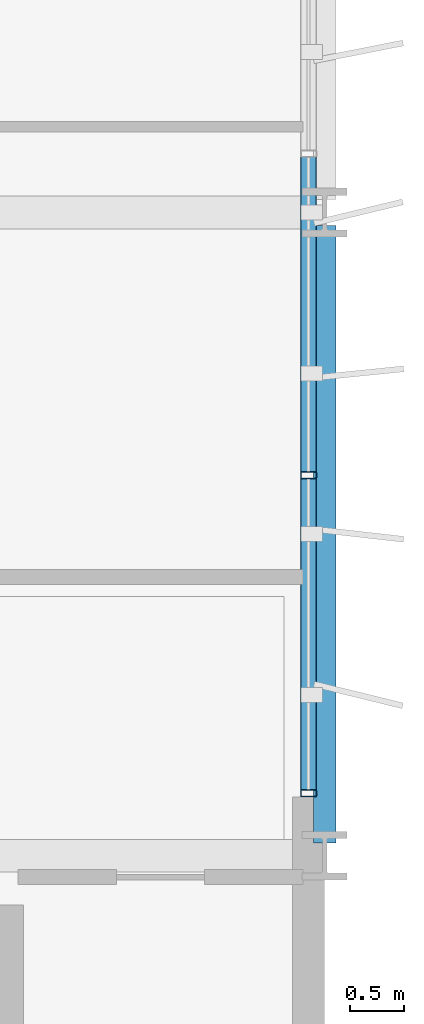
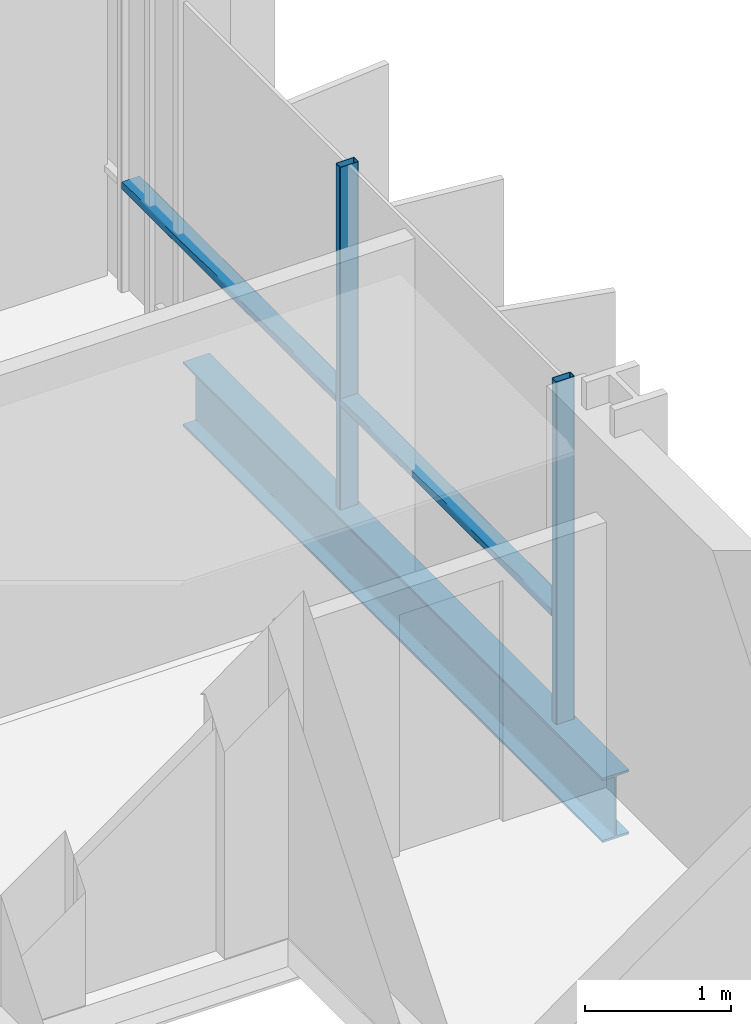
# One storey, part 15 of 39: 4 members, 1 beam, 1 element without a shape of its own.
"""IFC4 building model written with IfcOpenShell, lengths in metres."""

from ifc_helpers import new_model, si_unit, direction, frame, origin, origin_2d, place, context, subcontext, project, spatial, hollow_rectangle, i_section, extrude, material, layer, layer_set, material_profile, profile_set, type_object, element, aggregate, save


model = new_model("IFC4")

# Units and contexts
model_context = context("Model", 3, precision=1e-05, world=origin(), true_north=direction((0.0, 1.0)))
body_context = subcontext(model_context, "Body", "Model", "MODEL_VIEW")
ifc_project = project(units=[si_unit("LENGTHUNIT", "METRE"), si_unit("AREAUNIT", "SQUARE_METRE"), si_unit("VOLUMEUNIT", "CUBIC_METRE"), si_unit("PLANEANGLEUNIT", "RADIAN"), si_unit("MASSUNIT", "GRAM", prefix="KILO")], contexts=[model_context])

# Site, building, storey
site_placement = place(None, origin())
site = spatial("IfcSite", under=ifc_project, at=site_placement, CompositionType="ELEMENT")
building_placement = place(site_placement, origin())
building = spatial("IfcBuilding", under=site, at=building_placement, Name="Brevholm Reach", CompositionType="ELEMENT")
storey_placement = place(building_placement, frame((0.0, 0.0, 77.60009765625)))
storey = spatial("IfcBuildingStorey", under=building, at=storey_placement, Name="L22", CompositionType="ELEMENT", Elevation=77.60009765625)

# Beam
ifc_material_1 = material(Name="Structural Steel S355J2", Category="steel")
ifc_material_profile_1 = material_profile(ifc_material_1, i_section(OverallWidth=0.210693359375, OverallDepth=0.53955078125, WebThickness=0.01171875, FlangeThickness=0.018798828125, FilletRadius=0.0126953125, at=origin_2d()), Name="UKB 533x210x109")
ifc_profile_set_1 = profile_set([ifc_material_profile_1], Name="Structural Steel S355J2")
beam_type = type_object("IfcBeamType", Name="BM-SP539", PredefinedType="SPANDREL", material=ifc_profile_set_1)
beam_placement = place(storey_placement, frame((60.0, 10.1201171875, -0.499755859375), z_axis=(0.0, 1.0, 0.0), x_axis=(-1.0, 0.0, 0.0)))
element("IfcBeam", 1, at=beam_placement, inside=storey, type_object=beam_type, Name="L22 SP-01B Framing Beam", PredefinedType="SPANDREL", context=body_context, shape_type="SweptSolid", body=[
    extrude(i_section(OverallWidth=0.210693359375, OverallDepth=0.53955078125, WebThickness=0.01171875, FlangeThickness=0.018798828125, FilletRadius=0.0126953125, at=origin_2d()), origin(), (0.0, 0.0, 1.0), 5.759765625),
])

# Curtain wall, members
ifc_material_2 = material(Name="Dark Anodised Aluminium 6063-T6 and Solar-Control Glass", Category="aluminium")
ifc_layer = layer(ifc_material_2, 0.14990234375)
ifc_layer_set = layer_set([ifc_layer], Name="Dark Anodised Aluminium 6063-T6 and Solar-Control Glass")
curtain_wall_type = type_object("IfcCurtainWallType", Name="CW-01", PredefinedType="NOTDEFINED", material=ifc_layer_set)
curtain_wall_placement = place(storey_placement, origin())
curtain_wall = element("IfcCurtainWall", 2, at=curtain_wall_placement, inside=storey, type_object=curtain_wall_type, Name="L22 Curtain Wall CW-01", PredefinedType="NOTDEFINED")
ifc_material_3 = material(Name="Dark Anodised Aluminium 6063-T6", Category="aluminium")
ifc_material_profile_2 = material_profile(ifc_material_3, hollow_rectangle(XDim=0.06494140625, YDim=0.14990234375, WallThickness=0.0048828125, InnerFilletRadius=0.0048828125, OuterFilletRadius=0.010009765625, at=origin_2d()), Name="RHS 150x65x5")
ifc_profile_set_2 = profile_set([ifc_material_profile_2], Name="Dark Anodised Aluminium 6063-T6")
member_type_1 = type_object("IfcMemberType", Name="CWM-150", PredefinedType="MULLION", material=ifc_profile_set_2)
member_1_placement = place(storey_placement, frame((59.85009765625, 10.58251953125, 0.0), z_axis=(0.0, 0.0, 1.0), x_axis=(0.0, 1.0, 0.0)))
member_1 = element("IfcMember", 3, at=member_1_placement, type_object=member_type_1, Name="CM-150 Mullion 1", PredefinedType="MULLION", context=body_context, shape_type="SweptSolid", body=[
    extrude(hollow_rectangle(XDim=0.06494140625, YDim=0.14990234375, WallThickness=0.0048828125, InnerFilletRadius=0.0048828125, OuterFilletRadius=0.010009765625, at=origin_2d()), origin(), (0.0, 0.0, 1.0), 2.869873046875),
])
member_2_placement = place(storey_placement, frame((59.85009765625, 13.550048828125, 0.0), z_axis=(0.0, 0.0, 1.0), x_axis=(0.0, 1.0, 0.0)))
member_2 = element("IfcMember", 4, at=member_2_placement, type_object=member_type_1, Name="CM-150 Mullion 2", PredefinedType="MULLION", context=body_context, shape_type="SweptSolid", body=[
    extrude(hollow_rectangle(XDim=0.06494140625, YDim=0.14990234375, WallThickness=0.0048828125, InnerFilletRadius=0.0048828125, OuterFilletRadius=0.010009765625, at=origin_2d()), origin(), (0.0, 0.0, 1.0), 2.869873046875),
])
ifc_material_4 = material(Name="Dark Anodised Aluminium 6063-T6", Category="aluminium")
ifc_material_profile_3 = material_profile(ifc_material_4, hollow_rectangle(XDim=0.06494140625, YDim=0.14990234375, WallThickness=0.0048828125, InnerFilletRadius=0.0048828125, OuterFilletRadius=0.010009765625, at=origin_2d()), Name="RHS 150x65x5")
ifc_profile_set_3 = profile_set([ifc_material_profile_3], Name="Dark Anodised Aluminium 6063-T6")
member_type_2 = type_object("IfcMemberType", Name="CWT-150", PredefinedType="NOTDEFINED", material=ifc_profile_set_3)
member_3_placement = place(storey_placement, frame((59.85009765625, 10.614990234375, 0.89990234375), z_axis=(0.0, 1.0, 0.0), x_axis=(0.0, 0.0, 1.0)))
member_3 = element("IfcMember", 5, at=member_3_placement, type_object=member_type_2, Name="CT-150 Transom 1.1", ObjectType="TRANSOM", PredefinedType="USERDEFINED", context=body_context, shape_type="SweptSolid", body=[
    extrude(hollow_rectangle(XDim=0.06494140625, YDim=0.14990234375, WallThickness=0.0048828125, InnerFilletRadius=0.0048828125, OuterFilletRadius=0.010009765625, at=origin_2d()), origin(), (0.0, 0.0, 1.0), 2.902587890625),
])
member_4_placement = place(storey_placement, frame((59.85009765625, 13.58251953125, 0.89990234375), z_axis=(0.0, 1.0, 0.0), x_axis=(0.0, 0.0, 1.0)))
member_4 = element("IfcMember", 6, at=member_4_placement, type_object=member_type_2, Name="CT-150 Transom 2.1", ObjectType="TRANSOM", PredefinedType="USERDEFINED", context=body_context, shape_type="SweptSolid", body=[
    extrude(hollow_rectangle(XDim=0.06494140625, YDim=0.14990234375, WallThickness=0.0048828125, InnerFilletRadius=0.0048828125, OuterFilletRadius=0.010009765625, at=origin_2d()), origin(), (0.0, 0.0, 1.0), 2.93505859375),
])
aggregate(curtain_wall, [member_1, member_2, member_3, member_4])

save(model, "model.ifc")
